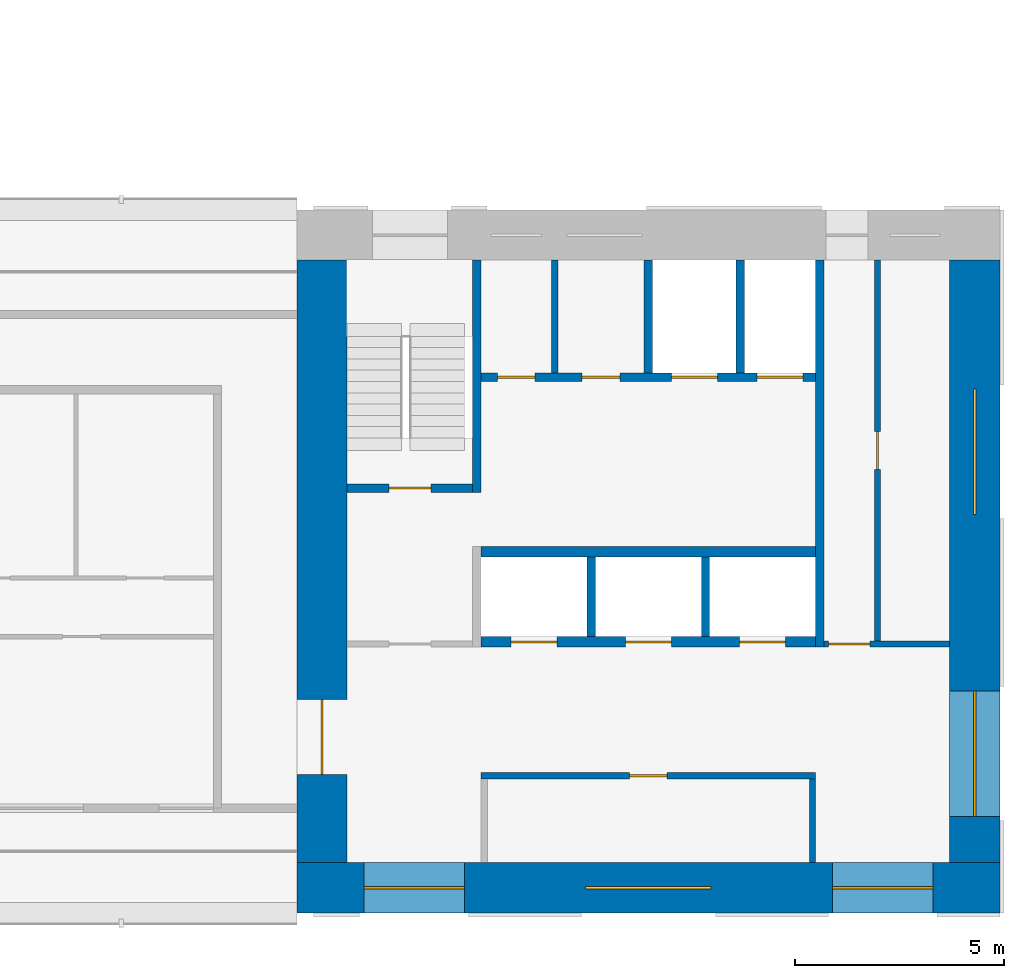
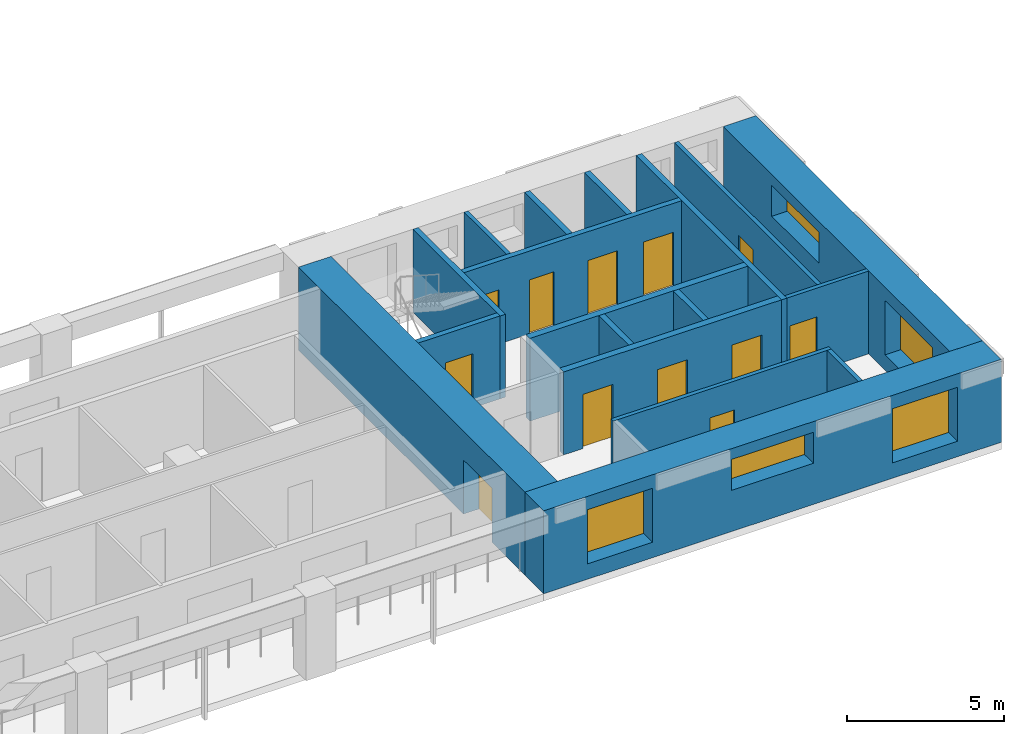
# One storey, part 4 of 9: 18 walls, 12 doors, 5 windows, 17 openings.
"""IFC4 building model written with IfcOpenShell, lengths in metres."""

from ifc_helpers import new_model, si_unit, direction, frame, frame_2d, origin, place, context, subcontext, project, spatial, rectangle, extrude, material, layer, layer_set, type_object, element, fill, save


model = new_model("IFC4")

# Units and contexts
model_context = context("Model", 3, precision=1e-05, world=origin(), true_north=direction((0.0, 1.0)))
body_context = subcontext(model_context, "Body", "Model", "MODEL_VIEW")
ifc_project = project(units=[si_unit("LENGTHUNIT", "METRE"), si_unit("AREAUNIT", "SQUARE_METRE"), si_unit("VOLUMEUNIT", "CUBIC_METRE"), si_unit("PLANEANGLEUNIT", "RADIAN"), si_unit("MASSUNIT", "GRAM", prefix="KILO")], contexts=[model_context])

# Site, building, storey
site_placement = place(None, origin())
site = spatial("IfcSite", under=ifc_project, at=site_placement, CompositionType="ELEMENT")
building_placement = place(site_placement, origin())
building = spatial("IfcBuilding", under=site, at=building_placement, Name="Vermilion Gate Residences", CompositionType="ELEMENT")
storey_placement = place(building_placement, frame((0.0, 0.0, 252.699951171875)))
storey = spatial("IfcBuildingStorey", under=building, at=storey_placement, Name="L66", CompositionType="ELEMENT", Elevation=252.699951171875)

# Wall
ifc_material_1 = material(Name="Masonry blockwork", Category="masonry")
ifc_layer_1 = layer(ifc_material_1, 0.14990234375)
ifc_layer_set_1 = layer_set([ifc_layer_1], Name="BLOCKWORK PARTITION 150 EI 120")
wall_type_1 = type_object("IfcWallType", Name="BLOCKWORK PARTITION 150 EI 120", PredefinedType="PARTITIONING", material=ifc_layer_set_1)
wall_1_placement = place(storey_placement, frame((54.324951171875, 9.60009765625, 0.0), z_axis=(0.0, 0.0, 1.0), x_axis=(0.0, 1.0, 0.0)))
element("IfcWall", 1, at=wall_1_placement, inside=storey, type_object=wall_type_1, Name="Core room partition A66-RW-E", PredefinedType="PARTITIONING", context=body_context, shape_type="SweptSolid", body=[
    extrude(rectangle(XDim=2.0, YDim=0.14990234375, at=frame_2d((1.0, 0.0))), origin(), (0.0, 0.0, 1.0), 3.219970703125),
])

# Wall, opening, door
wall_2_placement = place(storey_placement, frame((46.39990234375, 11.675048828125, 0.0), z_axis=(0.0, 0.0, 1.0), x_axis=(1.0, 0.0, 0.0)))
wall_2 = element("IfcWall", 2, at=wall_2_placement, inside=storey, type_object=wall_type_1, Name="Core room partition A66-LR-F", PredefinedType="PARTITIONING", context=body_context, shape_type="SweptSolid", body=[
    extrude(rectangle(XDim=8.0, YDim=0.14990234375, at=frame_2d((4.0, 0.0))), origin(), (0.0, 0.0, 1.0), 3.219970703125),
])
opening_1_placement = place(wall_2_placement, frame((3.550048828125, 0.0, 0.0)))
opening_1 = element("IfcOpeningElement", 3, at=opening_1_placement, cuts=wall_2, Name="Opening DK66002", PredefinedType="OPENING", context=body_context, shape_type="SweptSolid", body=[
    extrude(rectangle(XDim=0.89990234375, YDim=2.10009765625, at=frame_2d((0.449951171875, 1.050048828125))), frame((0.0, 0.0849609375, 0.0), z_axis=(0.0, -1.0, 0.0), x_axis=(1.0, 0.0, 0.0)), (0.0, 0.0, 1.0), 0.169921875),
])
ifc_material_2 = material(Name="Steel", Category="steel")
door_type_1 = type_object("IfcDoorType", Name="SERVICE ROOM DOOR FD60 900 X 2100", OperationType="SINGLE_SWING_LEFT", PredefinedType="DOOR", material=ifc_material_2)
door_1_placement = place(opening_1_placement, frame((0.89990234375, 0.0, 0.0), z_axis=(0.0, 0.0, 1.0), x_axis=(-1.0, 0.0, 0.0)))
door_1 = element("IfcDoor", 4, at=door_1_placement, inside=storey, type_object=door_type_1, Name="Refuse room A66", OperationType="SINGLE_SWING_RIGHT", OverallHeight=2.10009765625, OverallWidth=0.89990234375, PredefinedType="DOOR", context=body_context, shape_type="SweptSolid", body=[
    extrude(rectangle(XDim=0.89990234375, YDim=2.10009765625, at=frame_2d((0.449951171875, 1.050048828125))), frame((0.0, 0.02490234375, 0.0), z_axis=(0.0, -1.0, 0.0), x_axis=(1.0, 0.0, 0.0)), (0.0, 0.0, 1.0), 0.050048828125),
])
fill(opening_1, door_1)

# Wall
wall_3_placement = place(storey_placement, frame((48.16259765625, 21.300048828125, 0.0), z_axis=(0.0, 0.0, 1.0), x_axis=(0.0, 1.0, 0.0)))
element("IfcWall", 5, at=wall_3_placement, inside=storey, type_object=wall_type_1, Name="Core room partition A66-NR-P0", PredefinedType="PARTITIONING", context=body_context, shape_type="SweptSolid", body=[
    extrude(rectangle(XDim=2.699951171875, YDim=0.14990234375, at=frame_2d((1.35009765625, 0.0))), origin(), (0.0, 0.0, 1.0), 3.219970703125),
])

# Wall, opening, door
wall_4_placement = place(storey_placement, frame((54.60009765625, 14.824951171875, 0.0), z_axis=(0.0, 0.0, 1.0), x_axis=(1.0, 0.0, 0.0)))
wall_4 = element("IfcWall", 6, at=wall_4_placement, inside=storey, type_object=wall_type_1, Name="Core room partition A66-ES-S", PredefinedType="PARTITIONING", context=body_context, shape_type="SweptSolid", body=[
    extrude(rectangle(XDim=3.0, YDim=0.14990234375, at=frame_2d((1.5, 0.0))), origin(), (0.0, 0.0, 1.0), 3.219970703125),
])
opening_2_placement = place(wall_4_placement, frame((0.10009765625, 0.0, 0.0)))
opening_2 = element("IfcOpeningElement", 7, at=opening_2_placement, cuts=wall_4, Name="Opening DK66012", PredefinedType="OPENING", context=body_context, shape_type="SweptSolid", body=[
    extrude(rectangle(XDim=1.0, YDim=2.10009765625, at=frame_2d((0.5, 1.050048828125))), frame((0.0, 0.0849609375, 0.0), z_axis=(0.0, -1.0, 0.0), x_axis=(1.0, 0.0, 0.0)), (0.0, 0.0, 1.0), 0.169921875),
])
ifc_material_3 = material(Name="Steel", Category="steel")
door_type_2 = type_object("IfcDoorType", Name="FIRE DOOR FD60 1000 X 2100", OperationType="SINGLE_SWING_LEFT", PredefinedType="DOOR", material=ifc_material_3)
door_2_placement = place(opening_2_placement, frame((1.0, 0.0, 0.0), z_axis=(0.0, 0.0, 1.0), x_axis=(-1.0, 0.0, 0.0)))
door_2 = element("IfcDoor", 8, at=door_2_placement, inside=storey, type_object=door_type_2, Name="Service corridor door A66", OperationType="SINGLE_SWING_LEFT", OverallHeight=2.10009765625, OverallWidth=1.0, PredefinedType="DOOR", context=body_context, shape_type="SweptSolid", body=[
    extrude(rectangle(XDim=1.0, YDim=2.10009765625, at=frame_2d((0.5, 1.050048828125))), frame((0.0, 0.02490234375, 0.0), z_axis=(0.0, -1.0, 0.0), x_axis=(1.0, 0.0, 0.0)), (0.0, 0.0, 1.0), 0.050048828125),
])
fill(opening_2, door_2)

wall_5_placement = place(storey_placement, frame((55.875, 14.89990234375, 0.0), z_axis=(0.0, 0.0, 1.0), x_axis=(0.0, 1.0, 0.0)))
wall_5 = element("IfcWall", 9, at=wall_5_placement, inside=storey, type_object=wall_type_1, Name="Core room partition A66-ES-W", PredefinedType="PARTITIONING", context=body_context, shape_type="SweptSolid", body=[
    extrude(rectangle(XDim=9.10009765625, YDim=0.14990234375, at=frame_2d((4.550048828125, 0.0))), origin(), (0.0, 0.0, 1.0), 3.219970703125),
])
opening_3_placement = place(wall_5_placement, frame((4.10009765625, 0.0, 0.0)))
opening_3 = element("IfcOpeningElement", 10, at=opening_3_placement, cuts=wall_5, Name="Opening DK66013", PredefinedType="OPENING", context=body_context, shape_type="SweptSolid", body=[
    extrude(rectangle(XDim=0.89990234375, YDim=2.10009765625, at=frame_2d((0.449951171875, 1.050048828125))), frame((0.0, 0.0849609375, 0.0), z_axis=(0.0, -1.0, 0.0), x_axis=(1.0, 0.0, 0.0)), (0.0, 0.0, 1.0), 0.169921875),
])
door_3_placement = place(opening_3_placement, frame((0.89990234375, 0.0, 0.0), z_axis=(0.0, 0.0, 1.0), x_axis=(-1.0, 0.0, 0.0)))
door_3 = element("IfcDoor", 11, at=door_3_placement, inside=storey, type_object=door_type_1, Name="Parcel room A66", OperationType="SINGLE_SWING_RIGHT", OverallHeight=2.10009765625, OverallWidth=0.89990234375, PredefinedType="DOOR", context=body_context, shape_type="SweptSolid", body=[
    extrude(rectangle(XDim=0.89990234375, YDim=2.10009765625, at=frame_2d((0.449951171875, 1.050048828125))), frame((0.0, 0.02490234375, 0.0), z_axis=(0.0, -1.0, 0.0), x_axis=(1.0, 0.0, 0.0)), (0.0, 0.0, 1.0), 0.050048828125),
])
fill(opening_3, door_3)

# Walls
ifc_material_4 = material(Name="Concrete C60", Category="concrete")
ifc_layer_2 = layer(ifc_material_4, 0.199951171875)
ifc_layer_set_2 = layer_set([ifc_layer_2], Name="RC CORE INTERNAL WALL 200 C60")
wall_type_2 = type_object("IfcWallType", Name="RC CORE INTERNAL WALL 200 C60", PredefinedType="SHEAR", material=ifc_layer_set_2)
for number, where, z_axis, x_axis, name in (
    (12, (49.033447265625, 15.0, 0.0), (0.0, 0.0, 1.0), (0.0, 1.0, 0.0), "Core internal wall A66-HR-D1"),
    (13, (51.7666015625, 15.0, 0.0), (0.0, 0.0, 1.0), (0.0, 1.0, 0.0), "Core internal wall A66-HR-D2"),
):
    element("IfcWall", number, at=place(storey_placement, frame(where, z_axis=z_axis, x_axis=x_axis)), inside=storey, type_object=wall_type_2, Name=name, PredefinedType="SHEAR", context=body_context, shape_type="SweptSolid", body=[
        extrude(rectangle(XDim=1.89990234375, YDim=0.199951171875, at=frame_2d((0.949951171875, 0.0))), origin(), (0.0, 0.0, 1.0), 3.219970703125),
    ])
for number, where, z_axis, x_axis, name in (
    (14, (50.39990234375, 21.300048828125, 0.0), (0.0, 0.0, 1.0), (0.0, 1.0, 0.0), "Core internal wall A66-FF-D0"),
    (15, (52.60009765625, 21.300048828125, 0.0), (0.0, 0.0, 1.0), (0.0, 1.0, 0.0), "Core internal wall A66-FF-D1"),
):
    element("IfcWall", number, at=place(storey_placement, frame(where, z_axis=z_axis, x_axis=x_axis)), inside=storey, type_object=wall_type_2, Name=name, PredefinedType="SHEAR", context=body_context, shape_type="SweptSolid", body=[
        extrude(rectangle(XDim=2.699951171875, YDim=0.199951171875, at=frame_2d((1.35009765625, 0.0))), origin(), (0.0, 0.0, 1.0), 3.219970703125),
    ])

# Wall, openings, doors
wall_6_placement = place(storey_placement, frame((46.39990234375, 21.199951171875, 0.0), z_axis=(0.0, 0.0, 1.0), x_axis=(1.0, 0.0, 0.0)))
wall_6 = element("IfcWall", 16, at=wall_6_placement, inside=storey, type_object=wall_type_2, Name="Core internal wall A66-FF-F", PredefinedType="SHEAR", context=body_context, shape_type="SweptSolid", body=[
    extrude(rectangle(XDim=8.0, YDim=0.199951171875, at=frame_2d((4.0, 0.0))), origin(), (0.0, 0.0, 1.0), 3.219970703125),
])
opening_4_placement = place(wall_6_placement, frame((0.393798828125, 0.0, 0.0)))
opening_4 = element("IfcOpeningElement", 17, at=opening_4_placement, cuts=wall_6, Name="Opening DK66006", PredefinedType="OPENING", context=body_context, shape_type="SweptSolid", body=[
    extrude(rectangle(XDim=0.89990234375, YDim=2.10009765625, at=frame_2d((0.449951171875, 1.050048828125))), frame((0.0, 0.10986328125, 0.0), z_axis=(0.0, -1.0, 0.0), x_axis=(1.0, 0.0, 0.0)), (0.0, 0.0, 1.0), 0.219970703125),
])
opening_5_placement = place(wall_6_placement, frame((2.418701171875, 0.0, 0.0)))
opening_5 = element("IfcOpeningElement", 18, at=opening_5_placement, cuts=wall_6, Name="Opening DK66007", PredefinedType="OPENING", context=body_context, shape_type="SweptSolid", body=[
    extrude(rectangle(XDim=0.89990234375, YDim=2.10009765625, at=frame_2d((0.449951171875, 1.050048828125))), frame((0.0, 0.10986328125, 0.0), z_axis=(0.0, -1.0, 0.0), x_axis=(1.0, 0.0, 0.0)), (0.0, 0.0, 1.0), 0.219970703125),
])
opening_6_placement = place(wall_6_placement, frame((4.550048828125, 0.0, 0.0)))
opening_6 = element("IfcOpeningElement", 19, at=opening_6_placement, cuts=wall_6, Name="Opening LD", PredefinedType="OPENING", context=body_context, shape_type="SweptSolid", body=[
    extrude(rectangle(XDim=1.10009765625, YDim=2.10009765625, at=frame_2d((0.550048828125, 1.050048828125))), frame((0.0, 0.10986328125, 0.0), z_axis=(0.0, -1.0, 0.0), x_axis=(1.0, 0.0, 0.0)), (0.0, 0.0, 1.0), 0.219970703125),
])
opening_7_placement = place(wall_6_placement, frame((6.60009765625, 0.0, 0.0)))
opening_7 = element("IfcOpeningElement", 20, at=opening_7_placement, cuts=wall_6, Name="Opening LD", PredefinedType="OPENING", context=body_context, shape_type="SweptSolid", body=[
    extrude(rectangle(XDim=1.10009765625, YDim=2.10009765625, at=frame_2d((0.550048828125, 1.050048828125))), frame((0.0, 0.10986328125, 0.0), z_axis=(0.0, -1.0, 0.0), x_axis=(1.0, 0.0, 0.0)), (0.0, 0.0, 1.0), 0.219970703125),
])
ifc_material_5 = material(Name="Stainless steel", Category="steel")
door_type_3 = type_object("IfcDoorType", Name="LIFT LANDING DOOR E60 1100 X 2100", OperationType="DOUBLE_DOOR_SLIDING", PredefinedType="DOOR", material=ifc_material_5)
door_4_placement = place(opening_6_placement, origin())
door_4 = element("IfcDoor", 21, at=door_4_placement, inside=storey, type_object=door_type_3, Name="Lift landing door LFA1", OperationType="DOUBLE_DOOR_SLIDING", OverallHeight=2.10009765625, OverallWidth=1.10009765625, PredefinedType="DOOR", context=body_context, shape_type="SweptSolid", body=[
    extrude(rectangle(XDim=1.10009765625, YDim=2.10009765625, at=frame_2d((0.550048828125, 1.050048828125))), frame((0.0, 0.02490234375, 0.0), z_axis=(0.0, -1.0, 0.0), x_axis=(1.0, 0.0, 0.0)), (0.0, 0.0, 1.0), 0.050048828125),
])
fill(opening_6, door_4)
door_5_placement = place(opening_7_placement, origin())
door_5 = element("IfcDoor", 22, at=door_5_placement, inside=storey, type_object=door_type_3, Name="Lift landing door LCA1", OperationType="DOUBLE_DOOR_SLIDING", OverallHeight=2.10009765625, OverallWidth=1.10009765625, PredefinedType="DOOR", context=body_context, shape_type="SweptSolid", body=[
    extrude(rectangle(XDim=1.10009765625, YDim=2.10009765625, at=frame_2d((0.550048828125, 1.050048828125))), frame((0.0, 0.02490234375, 0.0), z_axis=(0.0, -1.0, 0.0), x_axis=(1.0, 0.0, 0.0)), (0.0, 0.0, 1.0), 0.050048828125),
])
fill(opening_7, door_5)
door_6_placement = place(opening_4_placement, origin())
door_6 = element("IfcDoor", 23, at=door_6_placement, inside=storey, type_object=door_type_1, Name="Communications riser A66", OperationType="SINGLE_SWING_LEFT", OverallHeight=2.10009765625, OverallWidth=0.89990234375, PredefinedType="DOOR", context=body_context, shape_type="SweptSolid", body=[
    extrude(rectangle(XDim=0.89990234375, YDim=2.10009765625, at=frame_2d((0.449951171875, 1.050048828125))), frame((0.0, 0.02490234375, 0.0), z_axis=(0.0, -1.0, 0.0), x_axis=(1.0, 0.0, 0.0)), (0.0, 0.0, 1.0), 0.050048828125),
])
fill(opening_4, door_6)
door_7_placement = place(opening_5_placement, origin())
door_7 = element("IfcDoor", 24, at=door_7_placement, inside=storey, type_object=door_type_1, Name="Refuse room A66", OperationType="SINGLE_SWING_LEFT", OverallHeight=2.10009765625, OverallWidth=0.89990234375, PredefinedType="DOOR", context=body_context, shape_type="SweptSolid", body=[
    extrude(rectangle(XDim=0.89990234375, YDim=2.10009765625, at=frame_2d((0.449951171875, 1.050048828125))), frame((0.0, 0.02490234375, 0.0), z_axis=(0.0, -1.0, 0.0), x_axis=(1.0, 0.0, 0.0)), (0.0, 0.0, 1.0), 0.050048828125),
])
fill(opening_5, door_7)

# Wall
wall_7_placement = place(storey_placement, frame((46.300048828125, 18.449951171875, 0.0), z_axis=(0.0, 0.0, 1.0), x_axis=(0.0, 1.0, 0.0)))
element("IfcWall", 25, at=wall_7_placement, inside=storey, type_object=wall_type_2, Name="Core internal wall A66-WDIV2", PredefinedType="SHEAR", context=body_context, shape_type="SweptSolid", body=[
    extrude(rectangle(XDim=5.550048828125, YDim=0.199951171875, at=frame_2d((2.77490234375, 0.0))), origin(), (0.0, 0.0, 1.0), 3.219970703125),
])

# Wall, opening, door
wall_8_placement = place(storey_placement, frame((43.199951171875, 18.550048828125, 0.0), z_axis=(0.0, 0.0, 1.0), x_axis=(1.0, 0.0, 0.0)))
wall_8 = element("IfcWall", 26, at=wall_8_placement, inside=storey, type_object=wall_type_2, Name="Core internal wall A66-STW-S", PredefinedType="SHEAR", context=body_context, shape_type="SweptSolid", body=[
    extrude(rectangle(XDim=3.0, YDim=0.199951171875, at=frame_2d((1.5, 0.0))), origin(), (0.0, 0.0, 1.0), 3.219970703125),
])
opening_8_placement = place(wall_8_placement, frame((1.0, 0.0, 0.0)))
opening_8 = element("IfcOpeningElement", 27, at=opening_8_placement, cuts=wall_8, Name="Opening DK66011", PredefinedType="OPENING", context=body_context, shape_type="SweptSolid", body=[
    extrude(rectangle(XDim=1.0, YDim=2.10009765625, at=frame_2d((0.5, 1.050048828125))), frame((0.0, 0.10986328125, 0.0), z_axis=(0.0, -1.0, 0.0), x_axis=(1.0, 0.0, 0.0)), (0.0, 0.0, 1.0), 0.219970703125),
])
door_8_placement = place(opening_8_placement, origin())
door_8 = element("IfcDoor", 28, at=door_8_placement, inside=storey, type_object=door_type_2, Name="Stair door A66", OperationType="SINGLE_SWING_LEFT", OverallHeight=2.10009765625, OverallWidth=1.0, PredefinedType="DOOR", context=body_context, shape_type="SweptSolid", body=[
    extrude(rectangle(XDim=1.0, YDim=2.10009765625, at=frame_2d((0.5, 1.050048828125))), frame((0.0, 0.02490234375, 0.0), z_axis=(0.0, -1.0, 0.0), x_axis=(1.0, 0.0, 0.0)), (0.0, 0.0, 1.0), 0.050048828125),
])
fill(opening_8, door_8)

# Wall
wall_9_placement = place(storey_placement, frame((54.5, 14.75, 0.0), z_axis=(0.0, 0.0, 1.0), x_axis=(0.0, 1.0, 0.0)))
element("IfcWall", 29, at=wall_9_placement, inside=storey, type_object=wall_type_2, Name="Core internal wall A66-EDIV", PredefinedType="SHEAR", context=body_context, shape_type="SweptSolid", body=[
    extrude(rectangle(XDim=9.25, YDim=0.199951171875, at=frame_2d((4.625, 0.0))), origin(), (0.0, 0.0, 1.0), 3.219970703125),
])

# Wall, opening, door
ifc_material_6 = material(Name="Concrete C50", Category="concrete")
ifc_layer_3 = layer(ifc_material_6, 1.199951171875)
ifc_layer_set_3 = layer_set([ifc_layer_3], Name="RC CORE WALL 1200 C50")
wall_type_3 = type_object("IfcWallType", Name="RC CORE WALL 1200 C50", PredefinedType="SHEAR", material=ifc_layer_set_3)
wall_10_placement = place(storey_placement, frame((42.60009765625, 9.60009765625, 0.0), z_axis=(0.0, 0.0, 1.0), x_axis=(0.0, 1.0, 0.0)))
wall_10 = element("IfcWall", 30, at=wall_10_placement, inside=storey, type_object=wall_type_3, Name="Core wall A66-OUT-FR", PredefinedType="SHEAR", context=body_context, shape_type="SweptSolid", body=[
    extrude(rectangle(XDim=14.39990234375, YDim=1.199951171875, at=frame_2d((7.199951171875, 0.0))), origin(), (0.0, 0.0, 1.0), 3.219970703125),
])
opening_9_placement = place(wall_10_placement, frame((2.10009765625, 0.0, 0.0)))
opening_9 = element("IfcOpeningElement", 31, at=opening_9_placement, cuts=wall_10, Name="Opening DK66001", PredefinedType="OPENING", context=body_context, shape_type="SweptSolid", body=[
    extrude(rectangle(XDim=1.800048828125, YDim=2.10009765625, at=frame_2d((0.89990234375, 1.050048828125))), frame((0.0, 0.60986328125, 0.0), z_axis=(0.0, -1.0, 0.0), x_axis=(1.0, 0.0, 0.0)), (0.0, 0.0, 1.0), 1.219970703125),
])
ifc_material_7 = material(Name="Steel", Category="steel")
door_type_4 = type_object("IfcDoorType", Name="CORE LOBBY DOOR FD60 1800 X 2100", OperationType="DOUBLE_DOOR_SINGLE_SWING", PredefinedType="DOOR", material=ifc_material_7)
door_9_placement = place(opening_9_placement, frame((1.800048828125, 0.0, 0.0), z_axis=(0.0, 0.0, 1.0), x_axis=(-1.0, 0.0, 0.0)))
door_9 = element("IfcDoor", 32, at=door_9_placement, inside=storey, type_object=door_type_4, Name="Core lobby door A66", OperationType="DOUBLE_DOOR_SINGLE_SWING", OverallHeight=2.10009765625, OverallWidth=1.800048828125, PredefinedType="DOOR", context=body_context, shape_type="SweptSolid", body=[
    extrude(rectangle(XDim=1.800048828125, YDim=2.10009765625, at=frame_2d((0.89990234375, 1.050048828125))), frame((0.0, 0.02490234375, 0.0), z_axis=(0.0, -1.0, 0.0), x_axis=(1.0, 0.0, 0.0)), (0.0, 0.0, 1.0), 0.050048828125),
])
fill(opening_9, door_9)

# Wall, openings, windows
ifc_material_8 = material(Name="Concrete C50 red-oxide pigmented", Category="concrete")
ifc_layer_4 = layer(ifc_material_8, 1.199951171875)
ifc_layer_set_4 = layer_set([ifc_layer_4], Name="RC CORE WALL 1200 C50 RED OXIDE")
wall_type_4 = type_object("IfcWallType", Name="RC CORE WALL 1200 C50 RED OXIDE", PredefinedType="SHEAR", material=ifc_layer_set_4)
wall_11_placement = place(storey_placement, frame((42.0, 9.0, 0.0), z_axis=(0.0, 0.0, 1.0), x_axis=(1.0, 0.0, 0.0)))
wall_11 = element("IfcWall", 33, at=wall_11_placement, inside=storey, type_object=wall_type_4, Name="Core wall A66-OUT-B0", PredefinedType="SHEAR", context=body_context, shape_type="SweptSolid", body=[
    extrude(rectangle(XDim=16.800048828125, YDim=1.199951171875, at=frame_2d((8.39990234375, 0.0))), origin(), (0.0, 0.0, 1.0), 3.219970703125),
])
opening_10_placement = place(wall_11_placement, frame((1.60009765625, 0.0, 0.60009765625)))
opening_10 = element("IfcOpeningElement", 34, at=opening_10_placement, cuts=wall_11, Name="Opening WKA6601", PredefinedType="OPENING", context=body_context, shape_type="SweptSolid", body=[
    extrude(rectangle(XDim=2.39990234375, YDim=2.10009765625, at=frame_2d((1.199951171875, 1.050048828125))), frame((0.0, 0.60986328125, 0.0), z_axis=(0.0, -1.0, 0.0), x_axis=(1.0, 0.0, 0.0)), (0.0, 0.0, 1.0), 1.219970703125),
])
opening_11_placement = place(wall_11_placement, frame((6.89990234375, 0.0, 1.60009765625)))
opening_11 = element("IfcOpeningElement", 35, at=opening_11_placement, cuts=wall_11, Name="Opening WKA6602", PredefinedType="OPENING", context=body_context, shape_type="SweptSolid", body=[
    extrude(rectangle(XDim=3.0, YDim=1.199951171875, at=frame_2d((1.5, 0.60009765625))), frame((0.0, 0.60986328125, 0.0), z_axis=(0.0, -1.0, 0.0), x_axis=(1.0, 0.0, 0.0)), (0.0, 0.0, 1.0), 1.219970703125),
])
opening_12_placement = place(wall_11_placement, frame((12.800048828125, 0.0, 0.60009765625)))
opening_12 = element("IfcOpeningElement", 36, at=opening_12_placement, cuts=wall_11, Name="Opening WKA6603", PredefinedType="OPENING", context=body_context, shape_type="SweptSolid", body=[
    extrude(rectangle(XDim=2.39990234375, YDim=2.10009765625, at=frame_2d((1.199951171875, 1.050048828125))), frame((0.0, 0.60986328125, 0.0), z_axis=(0.0, -1.0, 0.0), x_axis=(1.0, 0.0, 0.0)), (0.0, 0.0, 1.0), 1.219970703125),
])
ifc_material_9 = material(Name="Aluminium and clear glass", Category="aluminium")
window_type_1 = type_object("IfcWindowType", Name="CORE LOBBY WINDOW 2400 X 2100", PartitioningType="SINGLE_PANEL", PredefinedType="WINDOW", material=ifc_material_9)
window_1_placement = place(opening_10_placement, origin())
window_1 = element("IfcWindow", 37, at=window_1_placement, inside=storey, type_object=window_type_1, Name="Core lobby window", OverallHeight=2.10009765625, OverallWidth=2.39990234375, PartitioningType="SINGLE_PANEL", PredefinedType="WINDOW", context=body_context, shape_type="SweptSolid", body=[
    extrude(rectangle(XDim=2.39990234375, YDim=2.10009765625, at=frame_2d((1.199951171875, 1.050048828125))), frame((0.0, 0.030029296875, 0.0), z_axis=(0.0, -1.0, 0.0), x_axis=(1.0, 0.0, 0.0)), (0.0, 0.0, 1.0), 0.06005859375),
])
fill(opening_10, window_1)
window_2_placement = place(opening_12_placement, origin())
window_2 = element("IfcWindow", 38, at=window_2_placement, inside=storey, type_object=window_type_1, Name="Core lobby window", OverallHeight=2.10009765625, OverallWidth=2.39990234375, PartitioningType="SINGLE_PANEL", PredefinedType="WINDOW", context=body_context, shape_type="SweptSolid", body=[
    extrude(rectangle(XDim=2.39990234375, YDim=2.10009765625, at=frame_2d((1.199951171875, 1.050048828125))), frame((0.0, 0.030029296875, 0.0), z_axis=(0.0, -1.0, 0.0), x_axis=(1.0, 0.0, 0.0)), (0.0, 0.0, 1.0), 0.06005859375),
])
fill(opening_12, window_2)
ifc_material_10 = material(Name="Aluminium frame with louvre blades", Category="aluminium")
window_type_2 = type_object("IfcWindowType", Name="CORE LOUVRE 3000 X 1200", PartitioningType="SINGLE_PANEL", PredefinedType="WINDOW", material=ifc_material_10)
window_3_placement = place(opening_11_placement, origin())
window_3 = element("IfcWindow", 39, at=window_3_placement, inside=storey, type_object=window_type_2, Name="Core louvre", OverallHeight=1.199951171875, OverallWidth=3.0, PartitioningType="SINGLE_PANEL", PredefinedType="WINDOW", context=body_context, shape_type="SweptSolid", body=[
    extrude(rectangle(XDim=3.0, YDim=1.199951171875, at=frame_2d((1.5, 0.60009765625))), frame((0.0, 0.030029296875, 0.0), z_axis=(0.0, -1.0, 0.0), x_axis=(1.0, 0.0, 0.0)), (0.0, 0.0, 1.0), 0.06005859375),
])
fill(opening_11, window_3)

wall_12_placement = place(storey_placement, frame((58.199951171875, 9.60009765625, 0.0), z_axis=(0.0, 0.0, 1.0), x_axis=(0.0, 1.0, 0.0)))
wall_12 = element("IfcWall", 40, at=wall_12_placement, inside=storey, type_object=wall_type_4, Name="Core wall A66-OUT-BK", PredefinedType="SHEAR", context=body_context, shape_type="SweptSolid", body=[
    extrude(rectangle(XDim=14.39990234375, YDim=1.199951171875, at=frame_2d((7.199951171875, 0.0))), origin(), (0.0, 0.0, 1.0), 3.219970703125),
])
opening_13_placement = place(wall_12_placement, frame((1.10498046875, 0.0, 0.60009765625)))
opening_13 = element("IfcOpeningElement", 41, at=opening_13_placement, cuts=wall_12, Name="Opening WKA6609", PredefinedType="OPENING", context=body_context, shape_type="SweptSolid", body=[
    extrude(rectangle(XDim=3.0, YDim=2.10009765625, at=frame_2d((1.5, 1.050048828125))), frame((0.0, 0.60986328125, 0.0), z_axis=(0.0, -1.0, 0.0), x_axis=(1.0, 0.0, 0.0)), (0.0, 0.0, 1.0), 1.219970703125),
])
opening_14_placement = place(wall_12_placement, frame((8.320068359375, 0.0, 1.60009765625)))
opening_14 = element("IfcOpeningElement", 42, at=opening_14_placement, cuts=wall_12, Name="Opening WKA6610", PredefinedType="OPENING", context=body_context, shape_type="SweptSolid", body=[
    extrude(rectangle(XDim=3.0, YDim=1.199951171875, at=frame_2d((1.5, 0.60009765625))), frame((0.0, 0.60986328125, 0.0), z_axis=(0.0, -1.0, 0.0), x_axis=(1.0, 0.0, 0.0)), (0.0, 0.0, 1.0), 1.219970703125),
])
ifc_material_11 = material(Name="Aluminium and clear glass", Category="aluminium")
window_type_3 = type_object("IfcWindowType", Name="CORE LOBBY WINDOW 3000 X 2100", PartitioningType="SINGLE_PANEL", PredefinedType="WINDOW", material=ifc_material_11)
window_4_placement = place(opening_13_placement, origin())
window_4 = element("IfcWindow", 43, at=window_4_placement, inside=storey, type_object=window_type_3, Name="Core lobby window", OverallHeight=2.10009765625, OverallWidth=3.0, PartitioningType="SINGLE_PANEL", PredefinedType="WINDOW", context=body_context, shape_type="SweptSolid", body=[
    extrude(rectangle(XDim=3.0, YDim=2.10009765625, at=frame_2d((1.5, 1.050048828125))), frame((0.0, 0.030029296875, 0.0), z_axis=(0.0, -1.0, 0.0), x_axis=(1.0, 0.0, 0.0)), (0.0, 0.0, 1.0), 0.06005859375),
])
fill(opening_13, window_4)
window_5_placement = place(opening_14_placement, origin())
window_5 = element("IfcWindow", 44, at=window_5_placement, inside=storey, type_object=window_type_2, Name="Core louvre", OverallHeight=1.199951171875, OverallWidth=3.0, PartitioningType="SINGLE_PANEL", PredefinedType="WINDOW", context=body_context, shape_type="SweptSolid", body=[
    extrude(rectangle(XDim=3.0, YDim=1.199951171875, at=frame_2d((1.5, 0.60009765625))), frame((0.0, 0.030029296875, 0.0), z_axis=(0.0, -1.0, 0.0), x_axis=(1.0, 0.0, 0.0)), (0.0, 0.0, 1.0), 0.06005859375),
])
fill(opening_14, window_5)

# Wall, openings, doors
ifc_material_12 = material(Name="Concrete C60", Category="concrete")
ifc_layer_5 = layer(ifc_material_12, 0.25)
ifc_layer_set_5 = layer_set([ifc_layer_5], Name="RC LIFT SHAFT WALL 250 C60")
wall_type_5 = type_object("IfcWallType", Name="RC LIFT SHAFT WALL 250 C60", PredefinedType="SHEAR", material=ifc_layer_set_5)
wall_13_placement = place(storey_placement, frame((46.39990234375, 14.875, 0.0), z_axis=(0.0, 0.0, 1.0), x_axis=(1.0, 0.0, 0.0)))
wall_13 = element("IfcWall", 45, at=wall_13_placement, inside=storey, type_object=wall_type_5, Name="Lift shaft wall A66-HR-F", PredefinedType="SHEAR", context=body_context, shape_type="SweptSolid", body=[
    extrude(rectangle(XDim=8.0, YDim=0.25, at=frame_2d((4.0, 0.0))), origin(), (0.0, 0.0, 1.0), 3.219970703125),
])
opening_15_placement = place(wall_13_placement, frame((0.716552734375, 0.0, 0.0)))
opening_15 = element("IfcOpeningElement", 46, at=opening_15_placement, cuts=wall_13, Name="Opening LD", PredefinedType="OPENING", context=body_context, shape_type="SweptSolid", body=[
    extrude(rectangle(XDim=1.10009765625, YDim=2.10009765625, at=frame_2d((0.550048828125, 1.050048828125))), frame((0.0, 0.135009765625, 0.0), z_axis=(0.0, -1.0, 0.0), x_axis=(1.0, 0.0, 0.0)), (0.0, 0.0, 1.0), 0.27001953125),
])
opening_16_placement = place(wall_13_placement, frame((3.449951171875, 0.0, 0.0)))
opening_16 = element("IfcOpeningElement", 47, at=opening_16_placement, cuts=wall_13, Name="Opening LD", PredefinedType="OPENING", context=body_context, shape_type="SweptSolid", body=[
    extrude(rectangle(XDim=1.10009765625, YDim=2.10009765625, at=frame_2d((0.550048828125, 1.050048828125))), frame((0.0, 0.135009765625, 0.0), z_axis=(0.0, -1.0, 0.0), x_axis=(1.0, 0.0, 0.0)), (0.0, 0.0, 1.0), 0.27001953125),
])
opening_17_placement = place(wall_13_placement, frame((6.183349609375, 0.0, 0.0)))
opening_17 = element("IfcOpeningElement", 48, at=opening_17_placement, cuts=wall_13, Name="Opening LD", PredefinedType="OPENING", context=body_context, shape_type="SweptSolid", body=[
    extrude(rectangle(XDim=1.10009765625, YDim=2.10009765625, at=frame_2d((0.550048828125, 1.050048828125))), frame((0.0, 0.135009765625, 0.0), z_axis=(0.0, -1.0, 0.0), x_axis=(1.0, 0.0, 0.0)), (0.0, 0.0, 1.0), 0.27001953125),
])
door_10_placement = place(opening_15_placement, origin())
door_10 = element("IfcDoor", 49, at=door_10_placement, inside=storey, type_object=door_type_3, Name="Lift landing door HRA1", OperationType="DOUBLE_DOOR_SLIDING", OverallHeight=2.10009765625, OverallWidth=1.10009765625, PredefinedType="DOOR", context=body_context, shape_type="SweptSolid", body=[
    extrude(rectangle(XDim=1.10009765625, YDim=2.10009765625, at=frame_2d((0.550048828125, 1.050048828125))), frame((0.0, 0.02490234375, 0.0), z_axis=(0.0, -1.0, 0.0), x_axis=(1.0, 0.0, 0.0)), (0.0, 0.0, 1.0), 0.050048828125),
])
fill(opening_15, door_10)
door_11_placement = place(opening_16_placement, origin())
door_11 = element("IfcDoor", 50, at=door_11_placement, inside=storey, type_object=door_type_3, Name="Lift landing door HRA2", OperationType="DOUBLE_DOOR_SLIDING", OverallHeight=2.10009765625, OverallWidth=1.10009765625, PredefinedType="DOOR", context=body_context, shape_type="SweptSolid", body=[
    extrude(rectangle(XDim=1.10009765625, YDim=2.10009765625, at=frame_2d((0.550048828125, 1.050048828125))), frame((0.0, 0.02490234375, 0.0), z_axis=(0.0, -1.0, 0.0), x_axis=(1.0, 0.0, 0.0)), (0.0, 0.0, 1.0), 0.050048828125),
])
fill(opening_16, door_11)
door_12_placement = place(opening_17_placement, origin())
door_12 = element("IfcDoor", 51, at=door_12_placement, inside=storey, type_object=door_type_3, Name="Lift landing door HRA3", OperationType="DOUBLE_DOOR_SLIDING", OverallHeight=2.10009765625, OverallWidth=1.10009765625, PredefinedType="DOOR", context=body_context, shape_type="SweptSolid", body=[
    extrude(rectangle(XDim=1.10009765625, YDim=2.10009765625, at=frame_2d((0.550048828125, 1.050048828125))), frame((0.0, 0.02490234375, 0.0), z_axis=(0.0, -1.0, 0.0), x_axis=(1.0, 0.0, 0.0)), (0.0, 0.0, 1.0), 0.050048828125),
])
fill(opening_17, door_12)

# Wall
wall_14_placement = place(storey_placement, frame((46.39990234375, 17.02490234375, 0.0), z_axis=(0.0, 0.0, 1.0), x_axis=(1.0, 0.0, 0.0)))
element("IfcWall", 52, at=wall_14_placement, inside=storey, type_object=wall_type_5, Name="Lift shaft wall A66-HR-B", PredefinedType="SHEAR", context=body_context, shape_type="SweptSolid", body=[
    extrude(rectangle(XDim=8.0, YDim=0.25, at=frame_2d((4.0, 0.0))), origin(), (0.0, 0.0, 1.0), 3.219970703125),
])

save(model, "model.ifc")
